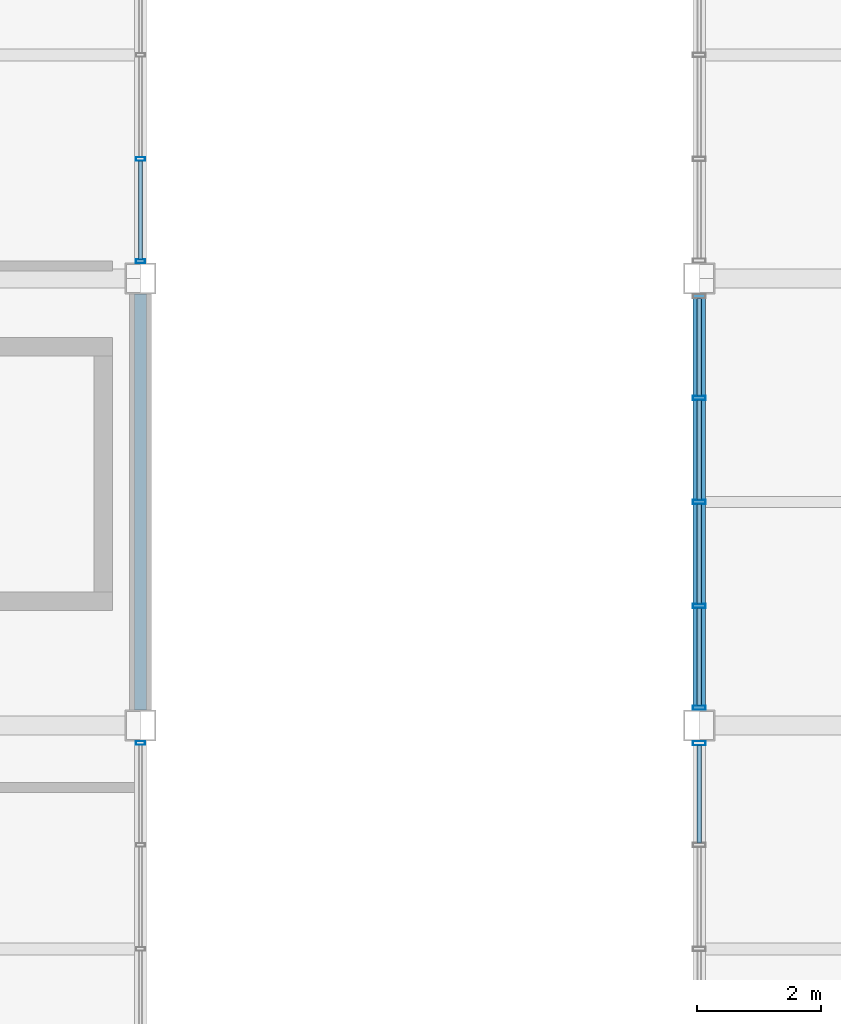
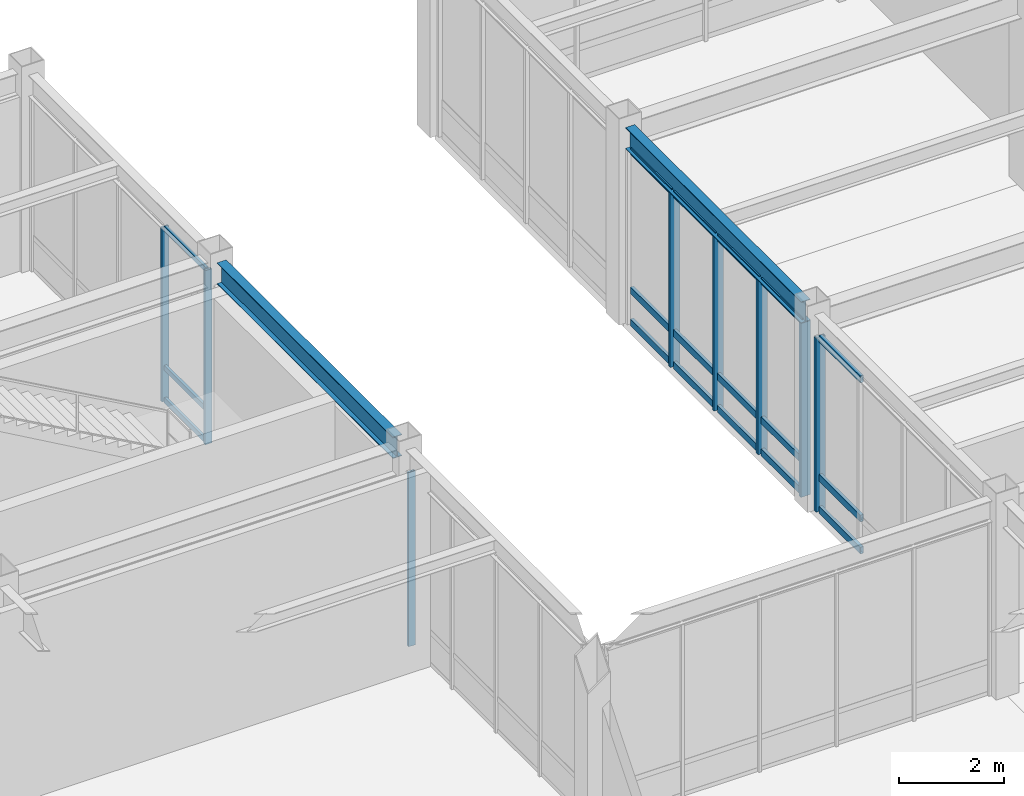
# One storey, part 54 of 112: 26 members, 2 beams, 4 elements without a shape of their own.
"""IFC4 building model written with IfcOpenShell, lengths in metres."""

from ifc_helpers import new_model, si_unit, direction, frame, origin, origin_2d, place, context, subcontext, project, spatial, hollow_rectangle, i_section, extrude, material, material_profile, profile_set, type_object, element, aggregate, save


model = new_model("IFC4")

# Units and contexts
model_context = context("Model", 3, precision=1e-05, world=origin(), true_north=direction((0.0, 1.0)))
body_context = subcontext(model_context, "Body", "Model", "MODEL_VIEW")
ifc_project = project(units=[si_unit("LENGTHUNIT", "METRE"), si_unit("AREAUNIT", "SQUARE_METRE"), si_unit("VOLUMEUNIT", "CUBIC_METRE"), si_unit("PLANEANGLEUNIT", "RADIAN"), si_unit("MASSUNIT", "GRAM", prefix="KILO")], contexts=[model_context])

# Site, building, storey
site_placement = place(None, origin())
site = spatial("IfcSite", under=ifc_project, at=site_placement, CompositionType="ELEMENT")
building_placement = place(site_placement, origin())
building = spatial("IfcBuilding", under=site, at=building_placement, Name="Kazanami Central Library", CompositionType="ELEMENT")
storey_placement = place(building_placement, origin())
storey = spatial("IfcBuildingStorey", under=building, at=storey_placement, Name="L01", CompositionType="ELEMENT", Elevation=0.0)

# Beams
ifc_material_1 = material(Name="Steel SN490B (325 MPa)", Category="steel")
ifc_material_profile_1 = material_profile(ifc_material_1, i_section(OverallWidth=0.199951171875, OverallDepth=0.5, WebThickness=0.010009765625, FlangeThickness=0.01611328125, at=origin_2d()), Name="H-500x200x10x16")
ifc_profile_set_1 = profile_set([ifc_material_profile_1], Name="Steel SN490B (325 MPa)")
beam_type = type_object("IfcBeamType", Name="BM-SP-1", PredefinedType="SPANDREL", material=ifc_profile_set_1)
for number, where, z_axis, x_axis, name in (
    (1, (36.0, 79.447998046875, 4.304931640625), (0.0, 1.0, 0.0), (-1.0, 0.0, 0.0), "Girder SP-1 L01 5/M-N"),
    (2, (45.0, 79.447998046875, 4.304931640625), (0.0, 1.0, 0.0), (-1.0, 0.0, 0.0), "Girder SP-1 L01 6/M-N"),
):
    element("IfcBeam", number, at=place(storey_placement, frame(where, z_axis=z_axis, x_axis=x_axis)), inside=storey, type_object=beam_type, Name=name, PredefinedType="SPANDREL", context=body_context, shape_type="SweptSolid", body=[
        extrude(i_section(OverallWidth=0.199951171875, OverallDepth=0.5, WebThickness=0.010009765625, FlangeThickness=0.01611328125, at=origin_2d()), origin(), (0.0, 0.0, 1.0), 6.7041015625),
    ])

# Curtain wall, member
ifc_material_2 = material(Name="Acid-Etched Low-E Laminated Glass", Category="glass")
curtain_wall_type = type_object("IfcCurtainWallType", Name="CW-6700x4055-M180", PredefinedType="USERDEFINED", material=ifc_material_2)
curtain_wall_1_placement = place(storey_placement, origin())
curtain_wall_1 = element("IfcCurtainWall", 3, at=curtain_wall_1_placement, inside=storey, type_object=curtain_wall_type, Name="Covered Link Bridge Curtain Wall CW-09 L01 W-6-10", ObjectType="UNITISED CURTAIN WALL", PredefinedType="USERDEFINED")
ifc_material_3 = material(Name="Anodised Aluminium A6063-T5", Category="aluminium")
ifc_material_profile_2 = material_profile(ifc_material_3, hollow_rectangle(XDim=0.070068359375, YDim=0.2099609375, WallThickness=0.0048828125, at=origin_2d()), Name="ALU-MULL-70x210x5")
ifc_profile_set_2 = profile_set([ifc_material_profile_2], Name="Anodised Aluminium A6063-T5")
member_type_1 = type_object("IfcMemberType", Name="MEM-CW-M1", PredefinedType="MULLION", material=ifc_profile_set_2)
member_1_placement = place(storey_placement, frame((45.0, 78.9150390625, 0.0), z_axis=(0.0, 0.0, 1.0), x_axis=(0.0, 1.0, 0.0)))
member_1 = element("IfcMember", 4, at=member_1_placement, type_object=member_type_1, Name="CW-09 mullion 5", PredefinedType="MULLION", context=body_context, shape_type="SweptSolid", body=[
    extrude(hollow_rectangle(XDim=0.070068359375, YDim=0.2099609375, WallThickness=0.0048828125, at=origin_2d()), origin(), (0.0, 0.0, 1.0), 4.054931640625),
])

# Curtain wall, members
curtain_wall_2_placement = place(storey_placement, origin())
curtain_wall_2 = element("IfcCurtainWall", 5, at=curtain_wall_2_placement, inside=storey, type_object=curtain_wall_type, Name="Covered Link Bridge Curtain Wall CW-09 L01 W-6-11", ObjectType="UNITISED CURTAIN WALL", PredefinedType="USERDEFINED")
member_2_placement = place(storey_placement, frame((45.0, 79.485107421875, 0.0), z_axis=(0.0, 0.0, 1.0), x_axis=(0.0, 1.0, 0.0)))
member_2 = element("IfcMember", 6, at=member_2_placement, type_object=member_type_1, Name="CW-09 mullion 1", PredefinedType="MULLION", context=body_context, shape_type="SweptSolid", body=[
    extrude(hollow_rectangle(XDim=0.070068359375, YDim=0.2099609375, WallThickness=0.0048828125, at=origin_2d()), origin(), (0.0, 0.0, 1.0), 4.054931640625),
])
member_3_placement = place(storey_placement, frame((45.0, 81.125, 0.0), z_axis=(0.0, 0.0, 1.0), x_axis=(0.0, 1.0, 0.0)))
member_3 = element("IfcMember", 7, at=member_3_placement, type_object=member_type_1, Name="CW-09 mullion 2", PredefinedType="MULLION", context=body_context, shape_type="SweptSolid", body=[
    extrude(hollow_rectangle(XDim=0.070068359375, YDim=0.2099609375, WallThickness=0.0048828125, at=origin_2d()), origin(), (0.0, 0.0, 1.0), 4.054931640625),
])
member_4_placement = place(storey_placement, frame((45.0, 82.800048828125, 0.0), z_axis=(0.0, 0.0, 1.0), x_axis=(0.0, 1.0, 0.0)))
member_4 = element("IfcMember", 8, at=member_4_placement, type_object=member_type_1, Name="CW-09 mullion 3", PredefinedType="MULLION", context=body_context, shape_type="SweptSolid", body=[
    extrude(hollow_rectangle(XDim=0.070068359375, YDim=0.2099609375, WallThickness=0.0048828125, at=origin_2d()), origin(), (0.0, 0.0, 1.0), 4.054931640625),
])
member_5_placement = place(storey_placement, frame((45.0, 84.47509765625, 0.0), z_axis=(0.0, 0.0, 1.0), x_axis=(0.0, 1.0, 0.0)))
member_5 = element("IfcMember", 9, at=member_5_placement, type_object=member_type_1, Name="CW-09 mullion 4", PredefinedType="MULLION", context=body_context, shape_type="SweptSolid", body=[
    extrude(hollow_rectangle(XDim=0.070068359375, YDim=0.2099609375, WallThickness=0.0048828125, at=origin_2d()), origin(), (0.0, 0.0, 1.0), 4.054931640625),
])

# Curtain wall, member
curtain_wall_3_placement = place(storey_placement, origin())
curtain_wall_3 = element("IfcCurtainWall", 10, at=curtain_wall_3_placement, inside=storey, type_object=curtain_wall_type, Name="Covered Link Bridge Curtain Wall CW-09 L01 E-5-10", ObjectType="UNITISED CURTAIN WALL", PredefinedType="USERDEFINED")
ifc_material_profile_3 = material_profile(ifc_material_3, hollow_rectangle(XDim=0.06005859375, YDim=0.14990234375, WallThickness=0.00390625, at=origin_2d()), Name="ALU-MULL-60x150x4")
ifc_profile_set_3 = profile_set([ifc_material_profile_3], Name="Anodised Aluminium A6063-T5")
member_type_2 = type_object("IfcMemberType", Name="MEM-CW-M3", PredefinedType="MULLION", material=ifc_profile_set_3)
member_6_placement = place(storey_placement, frame((36.0, 78.919921875, 0.0), z_axis=(0.0, 0.0, 1.0), x_axis=(0.0, -1.0, 0.0)))
member_6 = element("IfcMember", 11, at=member_6_placement, type_object=member_type_2, Name="CW-09 mullion 1", PredefinedType="MULLION", context=body_context, shape_type="SweptSolid", body=[
    extrude(hollow_rectangle(XDim=0.06005859375, YDim=0.14990234375, WallThickness=0.00390625, at=origin_2d()), origin(), (0.0, 0.0, 1.0), 4.054931640625),
])
aggregate(curtain_wall_3, [member_6])

# Curtain wall, members
curtain_wall_4_placement = place(storey_placement, origin())
curtain_wall_4 = element("IfcCurtainWall", 12, at=curtain_wall_4_placement, inside=storey, type_object=curtain_wall_type, Name="Covered Link Bridge Curtain Wall CW-09 L01 E-5-12", ObjectType="UNITISED CURTAIN WALL", PredefinedType="USERDEFINED")
member_7_placement = place(storey_placement, frame((36.0, 88.324951171875, 0.0), z_axis=(0.0, 0.0, 1.0), x_axis=(0.0, -1.0, 0.0)))
member_7 = element("IfcMember", 13, at=member_7_placement, type_object=member_type_2, Name="CW-09 mullion 4", PredefinedType="MULLION", context=body_context, shape_type="SweptSolid", body=[
    extrude(hollow_rectangle(XDim=0.06005859375, YDim=0.14990234375, WallThickness=0.00390625, at=origin_2d()), origin(), (0.0, 0.0, 1.0), 4.054931640625),
])
member_8_placement = place(storey_placement, frame((36.0, 86.679931640625, 0.0), z_axis=(0.0, 0.0, 1.0), x_axis=(0.0, -1.0, 0.0)))
member_8 = element("IfcMember", 14, at=member_8_placement, type_object=member_type_2, Name="CW-09 mullion 5", PredefinedType="MULLION", context=body_context, shape_type="SweptSolid", body=[
    extrude(hollow_rectangle(XDim=0.06005859375, YDim=0.14990234375, WallThickness=0.00390625, at=origin_2d()), origin(), (0.0, 0.0, 1.0), 4.054931640625),
])

# Member
ifc_material_profile_4 = material_profile(ifc_material_3, hollow_rectangle(XDim=0.070068359375, YDim=0.159912109375, WallThickness=0.00390625, at=origin_2d()), Name="ALU-TRAN-70x160x4")
ifc_profile_set_4 = profile_set([ifc_material_profile_4], Name="Anodised Aluminium A6063-T5")
member_type_3 = type_object("IfcMemberType", Name="MEM-CW-T1", PredefinedType="USERDEFINED", material=ifc_profile_set_4)
member_9_placement = place(storey_placement, frame((45.0, 77.31005859375, 0.034912109375), z_axis=(0.0, 1.0, 0.0), x_axis=(-1.0, 0.0, 0.0)))
member_9 = element("IfcMember", 15, at=member_9_placement, type_object=member_type_3, Name="CW-09 transom 4.1", ObjectType="TRANSOM", PredefinedType="USERDEFINED", context=body_context, shape_type="SweptSolid", body=[
    extrude(hollow_rectangle(XDim=0.070068359375, YDim=0.159912109375, WallThickness=0.00390625, at=origin_2d()), origin(), (0.0, 0.0, 1.0), 1.56982421875),
])

member_10_placement = place(storey_placement, frame((45.0, 77.31005859375, 0.780029296875), z_axis=(0.0, 1.0, 0.0), x_axis=(-1.0, 0.0, 0.0)))
member_10 = element("IfcMember", 16, at=member_10_placement, type_object=member_type_3, Name="CW-09 transom 4.2", ObjectType="TRANSOM", PredefinedType="USERDEFINED", context=body_context, shape_type="SweptSolid", body=[
    extrude(hollow_rectangle(XDim=0.070068359375, YDim=0.159912109375, WallThickness=0.00390625, at=origin_2d()), origin(), (0.0, 0.0, 1.0), 1.56982421875),
])

member_11_placement = place(storey_placement, frame((45.0, 77.31005859375, 4.02001953125), z_axis=(0.0, 1.0, 0.0), x_axis=(-1.0, 0.0, 0.0)))
member_11 = element("IfcMember", 17, at=member_11_placement, type_object=member_type_3, Name="CW-09 transom 4.3", ObjectType="TRANSOM", PredefinedType="USERDEFINED", context=body_context, shape_type="SweptSolid", body=[
    extrude(hollow_rectangle(XDim=0.070068359375, YDim=0.159912109375, WallThickness=0.00390625, at=origin_2d()), origin(), (0.0, 0.0, 1.0), 1.56982421875),
])

aggregate(curtain_wall_1, [member_1, member_9, member_10, member_11])

member_12_placement = place(storey_placement, frame((45.0, 79.52001953125, 0.034912109375), z_axis=(0.0, 1.0, 0.0), x_axis=(-1.0, 0.0, 0.0)))
member_12 = element("IfcMember", 18, at=member_12_placement, type_object=member_type_3, Name="CW-09 transom 1.1", ObjectType="TRANSOM", PredefinedType="USERDEFINED", context=body_context, shape_type="SweptSolid", body=[
    extrude(hollow_rectangle(XDim=0.070068359375, YDim=0.159912109375, WallThickness=0.00390625, at=origin_2d()), origin(), (0.0, 0.0, 1.0), 1.570068359375),
])

member_13_placement = place(storey_placement, frame((45.0, 79.52001953125, 0.780029296875), z_axis=(0.0, 1.0, 0.0), x_axis=(-1.0, 0.0, 0.0)))
member_13 = element("IfcMember", 19, at=member_13_placement, type_object=member_type_3, Name="CW-09 transom 1.2", ObjectType="TRANSOM", PredefinedType="USERDEFINED", context=body_context, shape_type="SweptSolid", body=[
    extrude(hollow_rectangle(XDim=0.070068359375, YDim=0.159912109375, WallThickness=0.00390625, at=origin_2d()), origin(), (0.0, 0.0, 1.0), 1.570068359375),
])

member_14_placement = place(storey_placement, frame((45.0, 79.52001953125, 4.02001953125), z_axis=(0.0, 1.0, 0.0), x_axis=(-1.0, 0.0, 0.0)))
member_14 = element("IfcMember", 20, at=member_14_placement, type_object=member_type_3, Name="CW-09 transom 1.3", ObjectType="TRANSOM", PredefinedType="USERDEFINED", context=body_context, shape_type="SweptSolid", body=[
    extrude(hollow_rectangle(XDim=0.070068359375, YDim=0.159912109375, WallThickness=0.00390625, at=origin_2d()), origin(), (0.0, 0.0, 1.0), 1.570068359375),
])

member_15_placement = place(storey_placement, frame((45.0, 81.159912109375, 0.034912109375), z_axis=(0.0, 1.0, 0.0), x_axis=(-1.0, 0.0, 0.0)))
member_15 = element("IfcMember", 21, at=member_15_placement, type_object=member_type_3, Name="CW-09 transom 2.1", ObjectType="TRANSOM", PredefinedType="USERDEFINED", context=body_context, shape_type="SweptSolid", body=[
    extrude(hollow_rectangle(XDim=0.070068359375, YDim=0.159912109375, WallThickness=0.00390625, at=origin_2d()), origin(), (0.0, 0.0, 1.0), 1.60498046875),
])

member_16_placement = place(storey_placement, frame((45.0, 81.159912109375, 0.780029296875), z_axis=(0.0, 1.0, 0.0), x_axis=(-1.0, 0.0, 0.0)))
member_16 = element("IfcMember", 22, at=member_16_placement, type_object=member_type_3, Name="CW-09 transom 2.2", ObjectType="TRANSOM", PredefinedType="USERDEFINED", context=body_context, shape_type="SweptSolid", body=[
    extrude(hollow_rectangle(XDim=0.070068359375, YDim=0.159912109375, WallThickness=0.00390625, at=origin_2d()), origin(), (0.0, 0.0, 1.0), 1.60498046875),
])

member_17_placement = place(storey_placement, frame((45.0, 81.159912109375, 4.02001953125), z_axis=(0.0, 1.0, 0.0), x_axis=(-1.0, 0.0, 0.0)))
member_17 = element("IfcMember", 23, at=member_17_placement, type_object=member_type_3, Name="CW-09 transom 2.3", ObjectType="TRANSOM", PredefinedType="USERDEFINED", context=body_context, shape_type="SweptSolid", body=[
    extrude(hollow_rectangle(XDim=0.070068359375, YDim=0.159912109375, WallThickness=0.00390625, at=origin_2d()), origin(), (0.0, 0.0, 1.0), 1.60498046875),
])

member_18_placement = place(storey_placement, frame((45.0, 82.8349609375, 0.034912109375), z_axis=(0.0, 1.0, 0.0), x_axis=(-1.0, 0.0, 0.0)))
member_18 = element("IfcMember", 24, at=member_18_placement, type_object=member_type_3, Name="CW-09 transom 3.1", ObjectType="TRANSOM", PredefinedType="USERDEFINED", context=body_context, shape_type="SweptSolid", body=[
    extrude(hollow_rectangle(XDim=0.070068359375, YDim=0.159912109375, WallThickness=0.00390625, at=origin_2d()), origin(), (0.0, 0.0, 1.0), 1.60498046875),
])

member_19_placement = place(storey_placement, frame((45.0, 82.8349609375, 0.780029296875), z_axis=(0.0, 1.0, 0.0), x_axis=(-1.0, 0.0, 0.0)))
member_19 = element("IfcMember", 25, at=member_19_placement, type_object=member_type_3, Name="CW-09 transom 3.2", ObjectType="TRANSOM", PredefinedType="USERDEFINED", context=body_context, shape_type="SweptSolid", body=[
    extrude(hollow_rectangle(XDim=0.070068359375, YDim=0.159912109375, WallThickness=0.00390625, at=origin_2d()), origin(), (0.0, 0.0, 1.0), 1.60498046875),
])

member_20_placement = place(storey_placement, frame((45.0, 82.8349609375, 4.02001953125), z_axis=(0.0, 1.0, 0.0), x_axis=(-1.0, 0.0, 0.0)))
member_20 = element("IfcMember", 26, at=member_20_placement, type_object=member_type_3, Name="CW-09 transom 3.3", ObjectType="TRANSOM", PredefinedType="USERDEFINED", context=body_context, shape_type="SweptSolid", body=[
    extrude(hollow_rectangle(XDim=0.070068359375, YDim=0.159912109375, WallThickness=0.00390625, at=origin_2d()), origin(), (0.0, 0.0, 1.0), 1.60498046875),
])

member_21_placement = place(storey_placement, frame((45.0, 84.510009765625, 0.034912109375), z_axis=(0.0, 1.0, 0.0), x_axis=(-1.0, 0.0, 0.0)))
member_21 = element("IfcMember", 27, at=member_21_placement, type_object=member_type_3, Name="CW-09 transom 4.1", ObjectType="TRANSOM", PredefinedType="USERDEFINED", context=body_context, shape_type="SweptSolid", body=[
    extrude(hollow_rectangle(XDim=0.070068359375, YDim=0.159912109375, WallThickness=0.00390625, at=origin_2d()), origin(), (0.0, 0.0, 1.0), 1.570068359375),
])

member_22_placement = place(storey_placement, frame((45.0, 84.510009765625, 0.780029296875), z_axis=(0.0, 1.0, 0.0), x_axis=(-1.0, 0.0, 0.0)))
member_22 = element("IfcMember", 28, at=member_22_placement, type_object=member_type_3, Name="CW-09 transom 4.2", ObjectType="TRANSOM", PredefinedType="USERDEFINED", context=body_context, shape_type="SweptSolid", body=[
    extrude(hollow_rectangle(XDim=0.070068359375, YDim=0.159912109375, WallThickness=0.00390625, at=origin_2d()), origin(), (0.0, 0.0, 1.0), 1.570068359375),
])

member_23_placement = place(storey_placement, frame((45.0, 84.510009765625, 4.02001953125), z_axis=(0.0, 1.0, 0.0), x_axis=(-1.0, 0.0, 0.0)))
member_23 = element("IfcMember", 29, at=member_23_placement, type_object=member_type_3, Name="CW-09 transom 4.3", ObjectType="TRANSOM", PredefinedType="USERDEFINED", context=body_context, shape_type="SweptSolid", body=[
    extrude(hollow_rectangle(XDim=0.070068359375, YDim=0.159912109375, WallThickness=0.00390625, at=origin_2d()), origin(), (0.0, 0.0, 1.0), 1.570068359375),
])

aggregate(curtain_wall_2, [member_2, member_3, member_4, member_5, member_12, member_13, member_14, member_15, member_16, member_17, member_18, member_19, member_20, member_21, member_22, member_23])

ifc_material_profile_5 = material_profile(ifc_material_3, hollow_rectangle(XDim=0.06005859375, YDim=0.1201171875, WallThickness=0.00341796875, at=origin_2d()), Name="ALU-TRAN-60x120x3.5")
ifc_profile_set_5 = profile_set([ifc_material_profile_5], Name="Anodised Aluminium A6063-T5")
member_type_4 = type_object("IfcMemberType", Name="MEM-CW-T3", PredefinedType="USERDEFINED", material=ifc_profile_set_5)
member_24_placement = place(storey_placement, frame((36.0, 88.294921875, 0.030029296875), z_axis=(0.0, -1.0, 0.0), x_axis=(1.0, 0.0, 0.0)))
member_24 = element("IfcMember", 30, at=member_24_placement, type_object=member_type_4, Name="CW-09 transom 4.1", ObjectType="TRANSOM", PredefinedType="USERDEFINED", context=body_context, shape_type="SweptSolid", body=[
    extrude(hollow_rectangle(XDim=0.06005859375, YDim=0.1201171875, WallThickness=0.00341796875, at=origin_2d()), origin(), (0.0, 0.0, 1.0), 1.5849609375),
])

member_25_placement = place(storey_placement, frame((36.0, 88.294921875, 0.780029296875), z_axis=(0.0, -1.0, 0.0), x_axis=(1.0, 0.0, 0.0)))
member_25 = element("IfcMember", 31, at=member_25_placement, type_object=member_type_4, Name="CW-09 transom 4.2", ObjectType="TRANSOM", PredefinedType="USERDEFINED", context=body_context, shape_type="SweptSolid", body=[
    extrude(hollow_rectangle(XDim=0.06005859375, YDim=0.1201171875, WallThickness=0.00341796875, at=origin_2d()), origin(), (0.0, 0.0, 1.0), 1.5849609375),
])

member_26_placement = place(storey_placement, frame((36.0, 88.294921875, 4.02490234375), z_axis=(0.0, -1.0, 0.0), x_axis=(1.0, 0.0, 0.0)))
member_26 = element("IfcMember", 32, at=member_26_placement, type_object=member_type_4, Name="CW-09 transom 4.3", ObjectType="TRANSOM", PredefinedType="USERDEFINED", context=body_context, shape_type="SweptSolid", body=[
    extrude(hollow_rectangle(XDim=0.06005859375, YDim=0.1201171875, WallThickness=0.00341796875, at=origin_2d()), origin(), (0.0, 0.0, 1.0), 1.5849609375),
])

aggregate(curtain_wall_4, [member_7, member_8, member_24, member_25, member_26])

save(model, "model.ifc")
